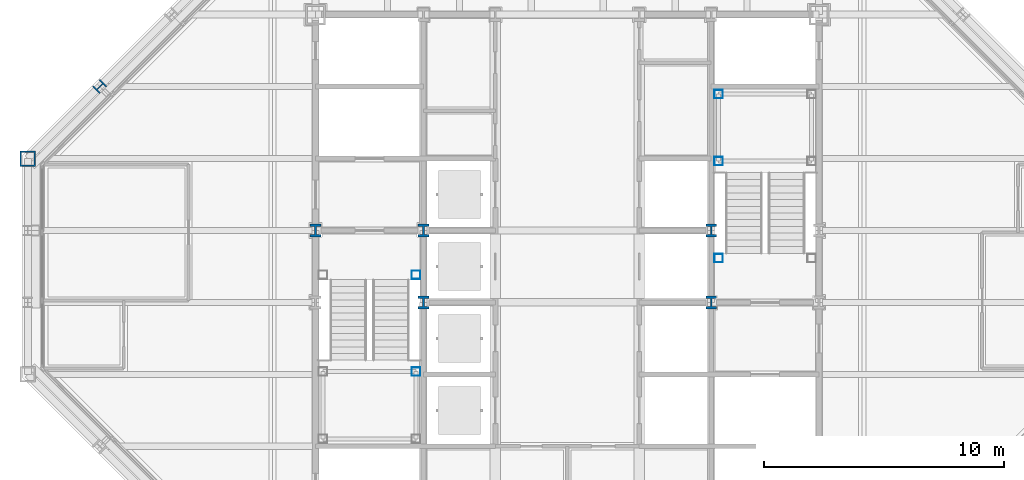
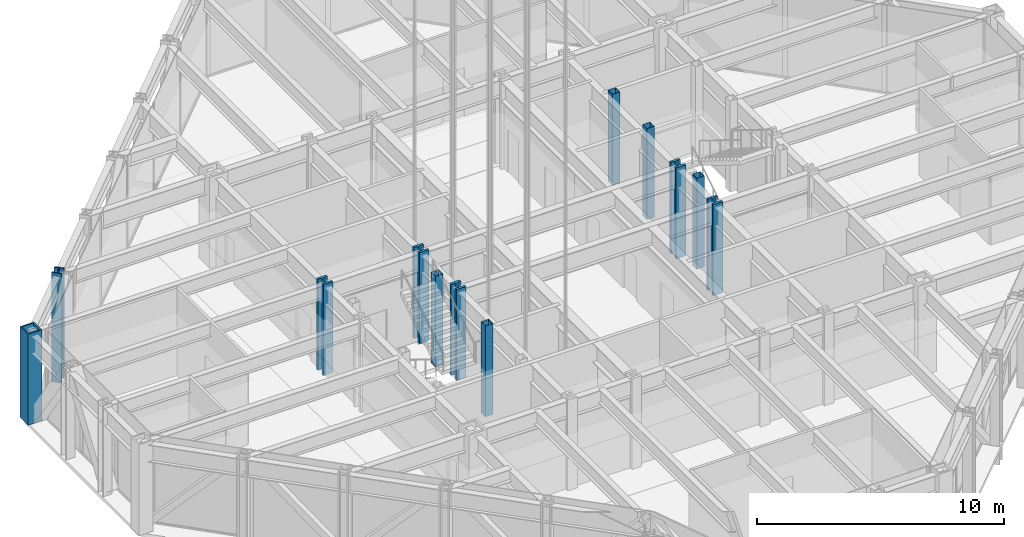
# One storey, part 2 of 24: 12 columns.
"""IFC4 building model written with IfcOpenShell, lengths in metres."""

from ifc_helpers import new_model, si_unit, direction, frame, origin, origin_2d, place, context, subcontext, project, spatial, hollow_rectangle, i_section, extrude, material, material_profile, profile_set, type_object, element, save


model = new_model("IFC4")

# Units and contexts
model_context = context("Model", 3, precision=1e-05, world=origin(), true_north=direction((0.0, 1.0)))
body_context = subcontext(model_context, "Body", "Model", "MODEL_VIEW")
ifc_project = project(units=[si_unit("LENGTHUNIT", "METRE"), si_unit("AREAUNIT", "SQUARE_METRE"), si_unit("VOLUMEUNIT", "CUBIC_METRE"), si_unit("PLANEANGLEUNIT", "RADIAN"), si_unit("MASSUNIT", "GRAM", prefix="KILO")], contexts=[model_context])

# Site, building, storey
site_placement = place(None, origin())
site = spatial("IfcSite", under=ifc_project, at=site_placement, CompositionType="ELEMENT")
building_placement = place(site_placement, origin())
building = spatial("IfcBuilding", under=site, at=building_placement, Name="Chuquiago Exchange Tower", CompositionType="ELEMENT")
storey_placement = place(building_placement, frame((0.0, 0.0, 257.699951171875)))
storey = spatial("IfcBuildingStorey", under=building, at=storey_placement, Name="L57", CompositionType="ELEMENT", Elevation=257.699951171875)

# Columns
ifc_material_1 = material(Name="Steel ASTM A992", Category="steel")
ifc_material_profile_1 = material_profile(ifc_material_1, i_section(OverallWidth=0.449462890625, OverallDepth=0.548583984375, WebThickness=0.07177734375, FlangeThickness=0.11474609375, at=origin_2d()), Name="W14X665")
ifc_profile_set_1 = profile_set([ifc_material_profile_1], Name="Steel ASTM A992")
column_type_1 = type_object("IfcColumnType", Name="CC5 W14X665", PredefinedType="COLUMN", material=ifc_profile_set_1)
for number, where, z_axis, x_axis, name in (
    (1, (12.0, 24.0, 0.0), (0.0, 0.0, 1.0), (1.0, 0.0, 0.0), "CCOL-L57-12_24"),
    (2, (16.5, 21.0, 0.0), (0.0, 0.0, 1.0), (1.0, 0.0, 0.0), "CCOL-L57-16.5_21"),
    (3, (16.5, 24.0, 0.0), (0.0, 0.0, 1.0), (1.0, 0.0, 0.0), "CCOL-L57-16.5_24"),
    (4, (28.5, 21.0, 0.0), (0.0, 0.0, 1.0), (1.0, 0.0, 0.0), "CCOL-L57-28.5_21"),
    (5, (28.5, 24.0, 0.0), (0.0, 0.0, 1.0), (1.0, 0.0, 0.0), "CCOL-L57-28.5_24"),
):
    element("IfcColumn", number, at=place(storey_placement, frame(where, z_axis=z_axis, x_axis=x_axis)), inside=storey, type_object=column_type_1, Name=name, PredefinedType="COLUMN", context=body_context, shape_type="SweptSolid", body=[
        extrude(i_section(OverallWidth=0.449462890625, OverallDepth=0.548583984375, WebThickness=0.07177734375, FlangeThickness=0.11474609375, at=origin_2d()), origin(), (0.0, 0.0, 1.0), 4.5),
    ])
ifc_material_2 = material(Name="Steel ASTM A992", Category="steel")
ifc_material_profile_2 = material_profile(ifc_material_2, i_section(OverallWidth=0.41650390625, OverallDepth=0.444580078125, WebThickness=0.0390625, FlangeThickness=0.062744140625, at=origin_2d()), Name="W14X342")
ifc_profile_set_2 = profile_set([ifc_material_profile_2], Name="Steel ASTM A992")
column_type_2 = type_object("IfcColumnType", Name="CK5 W14X342", PredefinedType="COLUMN", material=ifc_profile_set_2)
column_1_placement = place(storey_placement, frame((3.0, 30.0, -0.909912109375), z_axis=(0.0, 0.0, 1.0), x_axis=(-0.707106781187, 0.707106781187, 0.0)))
element("IfcColumn", 6, at=column_1_placement, inside=storey, type_object=column_type_2, Name="COL-L57-3_30", PredefinedType="COLUMN", context=body_context, shape_type="SweptSolid", body=[
    extrude(i_section(OverallWidth=0.41650390625, OverallDepth=0.444580078125, WebThickness=0.0390625, FlangeThickness=0.062744140625, at=origin_2d()), origin(), (0.0, 0.0, 1.0), 5.409912109375),
])
ifc_material_3 = material(Name="Steel ASTM A572 Grade 50", Category="steel")
ifc_material_profile_3 = material_profile(ifc_material_3, hollow_rectangle(XDim=0.64990234375, YDim=0.64990234375, WallThickness=0.06494140625, at=origin_2d()), Name="BOX650X650X65")
ifc_profile_set_3 = profile_set([ifc_material_profile_3], Name="Steel ASTM A572 Grade 50")
column_type_3 = type_object("IfcColumnType", Name="CN2 BOX650X650X65", PredefinedType="COLUMN", material=ifc_profile_set_3)
column_2_placement = place(storey_placement, frame((0.0, 27.0, 0.0), z_axis=(0.0, 0.0, 1.0), x_axis=(-1.0, 0.0, 0.0)))
element("IfcColumn", 7, at=column_2_placement, inside=storey, type_object=column_type_3, Name="COL-L57-0_27", PredefinedType="COLUMN", context=body_context, shape_type="SweptSolid", body=[
    extrude(hollow_rectangle(XDim=0.64990234375, YDim=0.64990234375, WallThickness=0.06494140625, at=origin_2d()), origin(), (0.0, 0.0, 1.0), 4.5),
])
ifc_material_4 = material(Name="Steel ASTM A500 Grade C", Category="steel")
ifc_material_profile_4 = material_profile(ifc_material_4, hollow_rectangle(XDim=0.355712890625, YDim=0.355712890625, WallThickness=0.0087890625, at=origin_2d()), Name="HSS14X14X3/8")
ifc_profile_set_4 = profile_set([ifc_material_profile_4], Name="Steel ASTM A500 Grade C")
column_type_4 = type_object("IfcColumnType", Name="PT1 HSS14X14X3/8", PredefinedType="COLUMN", material=ifc_profile_set_4)
for number, where, z_axis, x_axis, name in (
    (8, (16.18994140625, 18.110107421875, 0.0), (0.0, 0.0, 1.0), (1.0, 0.0, 0.0), "Stair ST1 L57 landing post"),
    (9, (16.18994140625, 22.14990234375, 0.0), (0.0, 0.0, 1.0), (1.0, 0.0, 0.0), "Stair ST1 L57 landing post"),
    (10, (28.81005859375, 29.68994140625, 0.0), (0.0, 0.0, 1.0), (1.0, 0.0, 0.0), "Stair ST2 L57 landing post"),
    (11, (28.81005859375, 26.889892578125, 0.0), (0.0, 0.0, 1.0), (1.0, 0.0, 0.0), "Stair ST2 L57 landing post"),
    (12, (28.81005859375, 22.85009765625, 0.0), (0.0, 0.0, 1.0), (1.0, 0.0, 0.0), "Stair ST2 L57 landing post"),
):
    element("IfcColumn", number, at=place(storey_placement, frame(where, z_axis=z_axis, x_axis=x_axis)), inside=storey, type_object=column_type_4, Name=name, PredefinedType="COLUMN", context=body_context, shape_type="SweptSolid", body=[
        extrude(hollow_rectangle(XDim=0.355712890625, YDim=0.355712890625, WallThickness=0.0087890625, at=origin_2d()), origin(), (0.0, 0.0, 1.0), 4.5),
    ])

save(model, "model.ifc")
